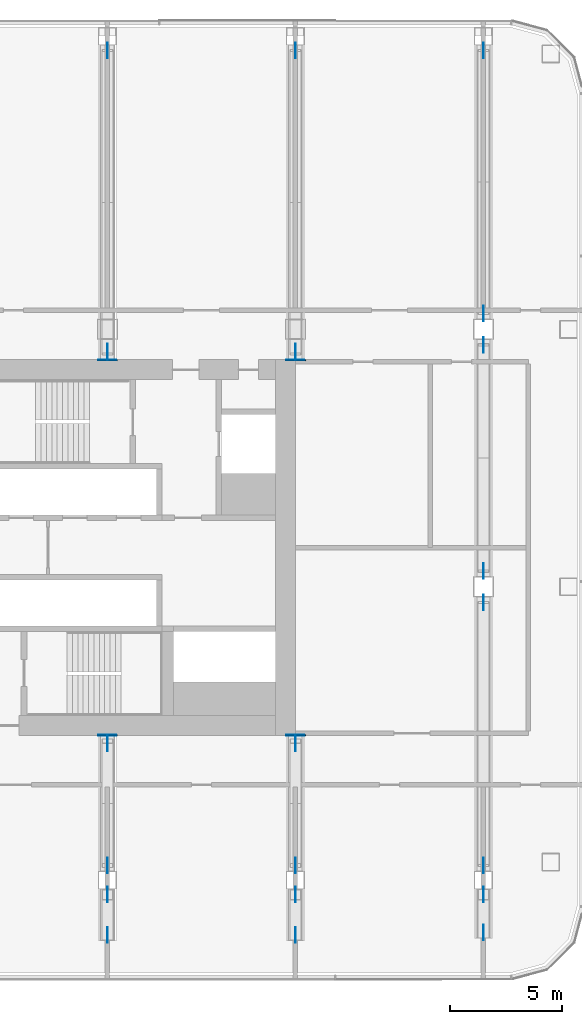
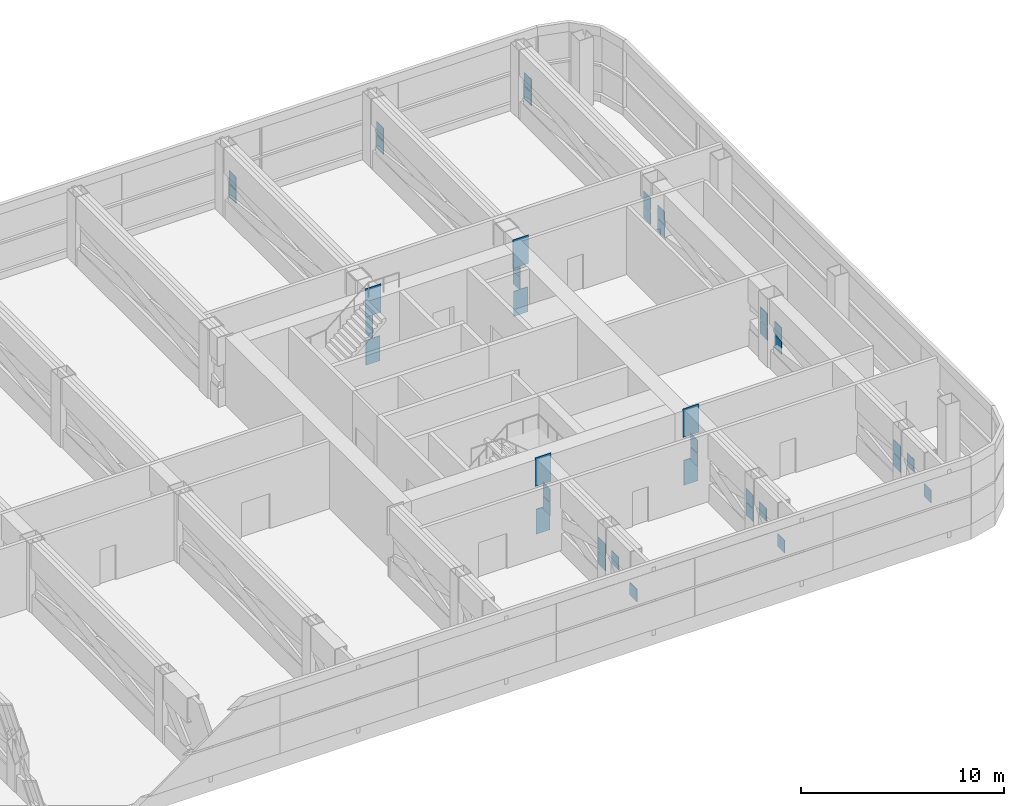
# One storey, part 25 of 31: 42 discrete accessories.
"""IFC4 building model written with IfcOpenShell, lengths in metres."""

from ifc_helpers import new_model, si_unit, direction, frame, origin, origin_2d, place, context, subcontext, project, spatial, rectangle, extrude, material, material_profile, profile_set, type_object, element, save


model = new_model("IFC4")

# Units and contexts
model_context = context("Model", 3, precision=1e-05, world=origin(), true_north=direction((0.0, 1.0)))
body_context = subcontext(model_context, "Body", "Model", "MODEL_VIEW")
ifc_project = project(units=[si_unit("LENGTHUNIT", "METRE"), si_unit("AREAUNIT", "SQUARE_METRE"), si_unit("VOLUMEUNIT", "CUBIC_METRE"), si_unit("PLANEANGLEUNIT", "RADIAN"), si_unit("MASSUNIT", "GRAM", prefix="KILO")], contexts=[model_context])

# Site, building, storey
site_placement = place(None, origin())
site = spatial("IfcSite", under=ifc_project, at=site_placement, CompositionType="ELEMENT")
building_placement = place(site_placement, origin())
building = spatial("IfcBuilding", under=site, at=building_placement, Name="Hakoniwa Tower and Hamabe Station Hall", CompositionType="ELEMENT")
storey_placement = place(building_placement, frame((0.0, 0.0, 120.199951171875)))
storey = spatial("IfcBuildingStorey", under=building, at=storey_placement, Name="L34", CompositionType="ELEMENT", Elevation=120.199951171875)

# Discrete accessories
ifc_material_1 = material(Name="Steel SN490C", Category="steel")
ifc_material_profile_1 = material_profile(ifc_material_1, rectangle(XDim=0.800048828125, YDim=1.5, at=origin_2d()), Name="CAST-IN PLATE BX-1300x600x50")
ifc_profile_set_1 = profile_set([ifc_material_profile_1], Name="Steel SN490C")
discrete_accessory_type_1 = type_object("IfcDiscreteAccessoryType", Name="CAST-IN PLATE BX-1300x600x50", PredefinedType="ANCHORPLATE", material=ifc_profile_set_1)
for number, where, z_axis, x_axis, name in (
    (1, (25.199951171875, -8.360107421875, 0.35009765625), (0.0, -1.0, 0.0), (1.0, 0.0, 0.0), "Cast-in plate T2-16-BC01"),
    (2, (25.199951171875, 8.360107421875, 0.35009765625), (0.0, 1.0, 0.0), (-1.0, 0.0, 0.0), "Cast-in plate T2-17-BC01"),
    (3, (33.60009765625, -8.360107421875, 0.35009765625), (0.0, -1.0, 0.0), (1.0, 0.0, 0.0), "Cast-in plate T2-18-BC01"),
    (4, (33.60009765625, 8.360107421875, 0.35009765625), (0.0, 1.0, 0.0), (-1.0, 0.0, 0.0), "Cast-in plate T2-19-BC01"),
):
    element("IfcDiscreteAccessory", number, at=place(storey_placement, frame(where, z_axis=z_axis, x_axis=x_axis)), inside=storey, type_object=discrete_accessory_type_1, Name=name, PredefinedType="ANCHORPLATE", context=body_context, shape_type="SweptSolid", body=[
        extrude(rectangle(XDim=0.800048828125, YDim=1.5, at=origin_2d()), origin(), (0.0, 0.0, 1.0), 0.039794921875),
    ])
ifc_material_2 = material(Name="Steel SN490C", Category="steel")
ifc_material_profile_2 = material_profile(ifc_material_2, rectangle(XDim=0.89990234375, YDim=1.699951171875, at=origin_2d()), Name="CAST-IN PLATE BX-1500x700x55")
ifc_profile_set_2 = profile_set([ifc_material_profile_2], Name="Steel SN490C")
discrete_accessory_type_2 = type_object("IfcDiscreteAccessoryType", Name="CAST-IN PLATE BX-1500x700x55", PredefinedType="ANCHORPLATE", material=ifc_profile_set_2)
for number, where, z_axis, x_axis, name in (
    (5, (25.199951171875, -8.35498046875, 3.35009765625), (0.0, -1.0, 0.0), (1.0, 0.0, 0.0), "Cast-in plate T2-16-TC01"),
    (6, (25.199951171875, 8.35498046875, 3.35009765625), (0.0, 1.0, 0.0), (-1.0, 0.0, 0.0), "Cast-in plate T2-17-TC01"),
    (7, (33.60009765625, -8.35498046875, 3.35009765625), (0.0, -1.0, 0.0), (1.0, 0.0, 0.0), "Cast-in plate T2-18-TC01"),
    (8, (33.60009765625, 8.35498046875, 3.35009765625), (0.0, 1.0, 0.0), (-1.0, 0.0, 0.0), "Cast-in plate T2-19-TC01"),
):
    element("IfcDiscreteAccessory", number, at=place(storey_placement, frame(where, z_axis=z_axis, x_axis=x_axis)), inside=storey, type_object=discrete_accessory_type_2, Name=name, PredefinedType="ANCHORPLATE", context=body_context, shape_type="SweptSolid", body=[
        extrude(rectangle(XDim=0.89990234375, YDim=1.699951171875, at=origin_2d()), origin(), (0.0, 0.0, 1.0), 0.044921875),
    ])
ifc_material_3 = material(Name="Steel SN490C", Category="steel")
ifc_material_profile_3 = material_profile(ifc_material_3, rectangle(XDim=0.699951171875, YDim=0.77001953125, at=origin_2d()), Name="GUSSET PLATE BX-700x500x32")
ifc_profile_set_3 = profile_set([ifc_material_profile_3], Name="Steel SN490C")
discrete_accessory_type_3 = type_object("IfcDiscreteAccessoryType", Name="GUSSET PLATE BX-700x500x32", PredefinedType="USERDEFINED", material=ifc_profile_set_3)
for number, where, z_axis, x_axis, name in (
    (9, (25.215087890625, -14.199951171875, 1.385009765625), (-1.0, 0.0, 0.0), (0.0, -1.0, 0.0), "Gusset plate T2-016-D01A"),
    (10, (25.215087890625, -8.75, 2.215087890625), (-1.0, 0.0, 0.0), (0.0, -1.0, 0.0), "Gusset plate T2-016-D01A"),
    (11, (25.215087890625, -14.199951171875, 2.215087890625), (-1.0, 0.0, 0.0), (0.0, -1.0, 0.0), "Gusset plate T2-016-D01B"),
    (12, (25.215087890625, -8.75, 1.385009765625), (-1.0, 0.0, 0.0), (0.0, -1.0, 0.0), "Gusset plate T2-016-D01B"),
    (13, (25.215087890625, -17.300048828125, 1.385009765625), (-1.0, 0.0, 0.0), (0.0, -1.0, 0.0), "Gusset plate T2-016-DLA"),
    (14, (25.215087890625, -15.5, 2.215087890625), (-1.0, 0.0, 0.0), (0.0, -1.0, 0.0), "Gusset plate T2-016-DLA"),
    (15, (25.215087890625, 8.75, 1.385009765625), (-1.0, 0.0, 0.0), (0.0, -1.0, 0.0), "Gusset plate T2-017-D01A"),
    (16, (25.215087890625, 22.199951171875, 2.215087890625), (-1.0, 0.0, 0.0), (0.0, -1.0, 0.0), "Gusset plate T2-017-D01A"),
    (17, (25.215087890625, 8.75, 2.215087890625), (-1.0, 0.0, 0.0), (0.0, -1.0, 0.0), "Gusset plate T2-017-D01B"),
    (18, (25.215087890625, 22.199951171875, 1.385009765625), (-1.0, 0.0, 0.0), (0.0, -1.0, 0.0), "Gusset plate T2-017-D01B"),
    (19, (33.614990234375, -14.199951171875, 1.385009765625), (-1.0, 0.0, 0.0), (0.0, -1.0, 0.0), "Gusset plate T2-018-D01A"),
    (20, (33.614990234375, -8.75, 2.215087890625), (-1.0, 0.0, 0.0), (0.0, -1.0, 0.0), "Gusset plate T2-018-D01A"),
    (21, (33.614990234375, -14.199951171875, 2.215087890625), (-1.0, 0.0, 0.0), (0.0, -1.0, 0.0), "Gusset plate T2-018-D01B"),
    (22, (33.614990234375, -8.75, 1.385009765625), (-1.0, 0.0, 0.0), (0.0, -1.0, 0.0), "Gusset plate T2-018-D01B"),
    (23, (33.614990234375, -17.300048828125, 1.385009765625), (-1.0, 0.0, 0.0), (0.0, -1.0, 0.0), "Gusset plate T2-018-DLA"),
    (24, (33.614990234375, -15.5, 2.215087890625), (-1.0, 0.0, 0.0), (0.0, -1.0, 0.0), "Gusset plate T2-018-DLA"),
    (25, (33.614990234375, 8.75, 1.385009765625), (-1.0, 0.0, 0.0), (0.0, -1.0, 0.0), "Gusset plate T2-019-D01A"),
    (26, (33.614990234375, 22.199951171875, 2.215087890625), (-1.0, 0.0, 0.0), (0.0, -1.0, 0.0), "Gusset plate T2-019-D01A"),
    (27, (33.614990234375, 8.75, 2.215087890625), (-1.0, 0.0, 0.0), (0.0, -1.0, 0.0), "Gusset plate T2-019-D01B"),
    (28, (33.614990234375, 22.199951171875, 1.385009765625), (-1.0, 0.0, 0.0), (0.0, -1.0, 0.0), "Gusset plate T2-019-D01B"),
):
    element("IfcDiscreteAccessory", number, at=place(storey_placement, frame(where, z_axis=z_axis, x_axis=x_axis)), inside=storey, type_object=discrete_accessory_type_3, Name=name, ObjectType="GUSSET PLATE", PredefinedType="USERDEFINED", context=body_context, shape_type="SweptSolid", body=[
        extrude(rectangle(XDim=0.699951171875, YDim=0.77001953125, at=origin_2d()), origin(), (0.0, 0.0, 1.0), 0.030029296875),
    ])
for number, where, z_axis, x_axis, name in (
    (29, (42.014892578125, -14.199951171875, 1.385009765625), (-1.0, 0.0, 0.0), (0.0, -1.0, 0.0), "Gusset plate T2-021-D01A"),
    (30, (42.014892578125, -2.449951171875, 2.215087890625), (-1.0, 0.0, 0.0), (0.0, -1.0, 0.0), "Gusset plate T2-021-D01A"),
    (31, (42.014892578125, -14.199951171875, 2.215087890625), (-1.0, 0.0, 0.0), (0.0, -1.0, 0.0), "Gusset plate T2-021-D01B"),
    (32, (42.014892578125, -2.449951171875, 1.385009765625), (-1.0, 0.0, 0.0), (0.0, -1.0, 0.0), "Gusset plate T2-021-D01B"),
    (33, (42.014892578125, -1.050048828125, 1.385009765625), (-1.0, 0.0, 0.0), (0.0, -1.0, 0.0), "Gusset plate T2-021-D02A"),
    (34, (42.014892578125, 9.050048828125, 2.215087890625), (-1.0, 0.0, 0.0), (0.0, -1.0, 0.0), "Gusset plate T2-021-D02A"),
    (35, (42.014892578125, -1.050048828125, 2.215087890625), (-1.0, 0.0, 0.0), (0.0, -1.0, 0.0), "Gusset plate T2-021-D02B"),
    (36, (42.014892578125, 9.050048828125, 1.385009765625), (-1.0, 0.0, 0.0), (0.0, -1.0, 0.0), "Gusset plate T2-021-D02B"),
    (37, (42.014892578125, 10.449951171875, 1.385009765625), (-1.0, 0.0, 0.0), (0.0, -1.0, 0.0), "Gusset plate T2-021-D03A"),
    (38, (42.014892578125, 22.199951171875, 2.215087890625), (-1.0, 0.0, 0.0), (0.0, -1.0, 0.0), "Gusset plate T2-021-D03A"),
    (39, (42.014892578125, 10.449951171875, 2.215087890625), (-1.0, 0.0, 0.0), (0.0, -1.0, 0.0), "Gusset plate T2-021-D03B"),
    (40, (42.014892578125, 22.199951171875, 1.385009765625), (-1.0, 0.0, 0.0), (0.0, -1.0, 0.0), "Gusset plate T2-021-D03B"),
    (41, (42.014892578125, -17.194091796875, 1.385009765625), (-1.0, 0.0, 0.0), (0.0, -1.0, 0.0), "Gusset plate T2-021-DLA"),
    (42, (42.014892578125, -15.5, 2.215087890625), (-1.0, 0.0, 0.0), (0.0, -1.0, 0.0), "Gusset plate T2-021-DLA"),
):
    element("IfcDiscreteAccessory", number, at=place(storey_placement, frame(where, z_axis=z_axis, x_axis=x_axis)), inside=storey, type_object=discrete_accessory_type_3, Name=name, ObjectType="GUSSET PLATE", PredefinedType="USERDEFINED", context=body_context, shape_type="SweptSolid", body=[
        extrude(rectangle(XDim=0.699951171875, YDim=0.77001953125, at=origin_2d()), origin(), (0.0, 0.0, 1.0), 0.02978515625),
    ])

save(model, "model.ifc")
